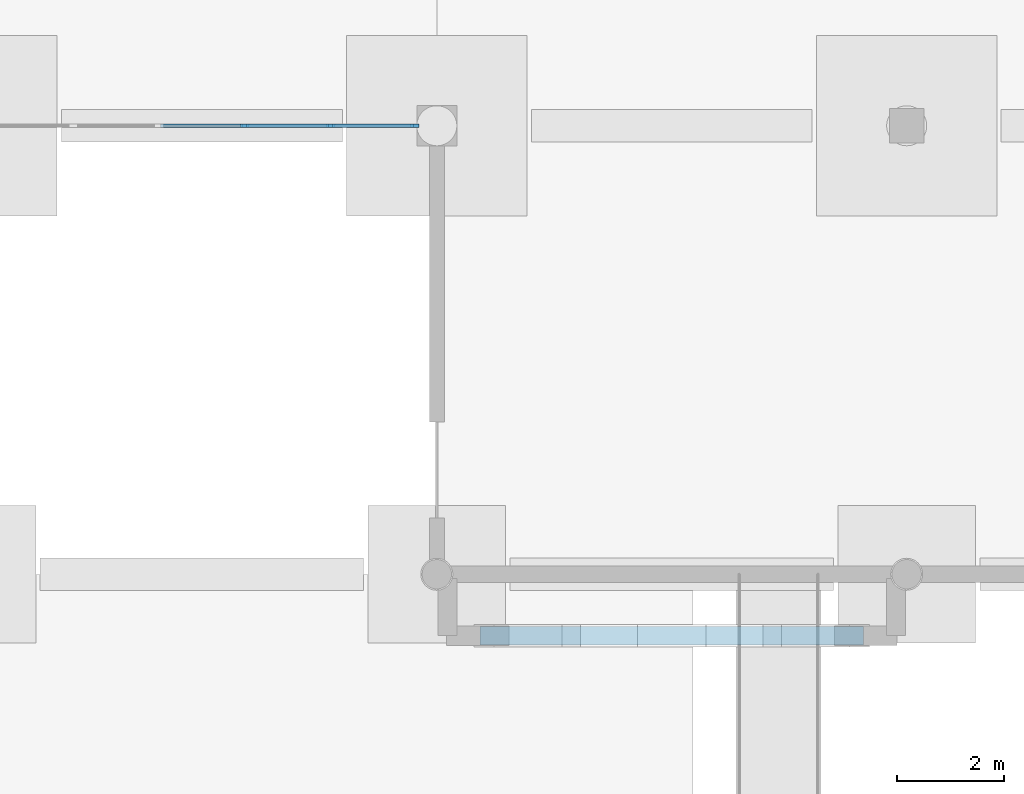
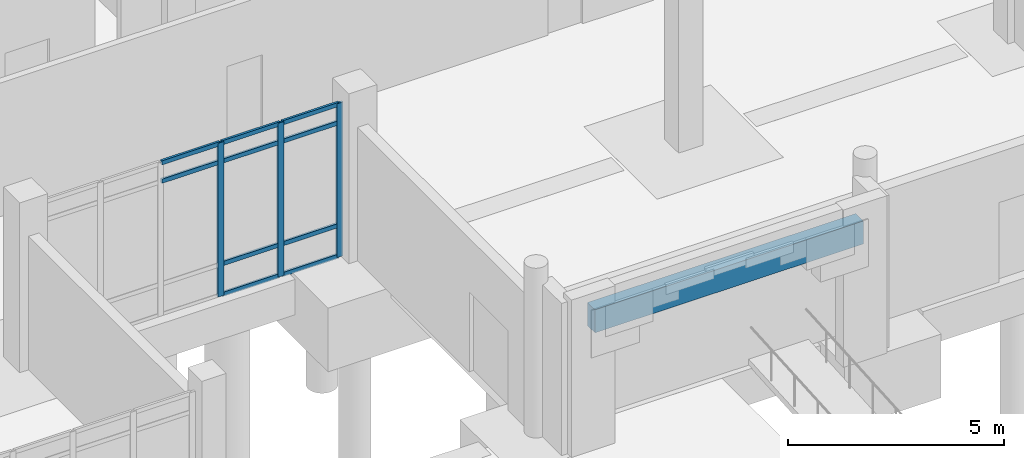
# One storey, part 22 of 72: 13 members, 1 beam, 1 element without a shape of its own.
"""IFC4 building model written with IfcOpenShell, lengths in metres."""

from ifc_helpers import new_model, si_unit, direction, frame, origin, origin_2d, place, context, subcontext, project, spatial, rectangle, extrude, material, material_profile, profile_set, type_object, element, aggregate, save


model = new_model("IFC4")

# Units and contexts
model_context = context("Model", 3, precision=1e-05, world=origin(), true_north=direction((0.0, 1.0)))
body_context = subcontext(model_context, "Body", "Model", "MODEL_VIEW")
ifc_project = project(units=[si_unit("LENGTHUNIT", "METRE"), si_unit("AREAUNIT", "SQUARE_METRE"), si_unit("VOLUMEUNIT", "CUBIC_METRE"), si_unit("PLANEANGLEUNIT", "RADIAN"), si_unit("MASSUNIT", "GRAM", prefix="KILO")], contexts=[model_context])

# Site, building, storey
site_placement = place(None, origin())
site = spatial("IfcSite", under=ifc_project, at=site_placement, CompositionType="ELEMENT")
building_placement = place(site_placement, origin())
building = spatial("IfcBuilding", under=site, at=building_placement, Name="Cinderway Yard Community Centre", CompositionType="ELEMENT")
storey_placement = place(building_placement, origin())
storey = spatial("IfcBuildingStorey", under=building, at=storey_placement, Name="L00", CompositionType="ELEMENT", Elevation=0.0)

# Curtain wall, members
ifc_material_1 = material(Name="Aluminium 6063-T6", Category="aluminium")
curtain_wall_type = type_object("IfcCurtainWallType", Name="ENV-CW-TYPE-25", PredefinedType="USERDEFINED", material=ifc_material_1)
curtain_wall_placement = place(storey_placement, origin())
curtain_wall = element("IfcCurtainWall", 1, at=curtain_wall_placement, inside=storey, type_object=curtain_wall_type, Name="V4 Courtyard Curtain Wall ENV-CW-L00-ST-0119", ObjectType="GLAZED CURTAIN WALL", PredefinedType="USERDEFINED")
ifc_material_profile_1 = material_profile(ifc_material_1, rectangle(XDim=0.06005859375, YDim=0.159912109375, at=origin_2d()), Name="Aluminium 6063-T6")
ifc_profile_set_1 = profile_set([ifc_material_profile_1], Name="Aluminium 6063-T6")
member_type_1 = type_object("IfcMemberType", Name="ENV-CW-MULL-150", PredefinedType="MULLION", material=ifc_profile_set_1)
member_1_placement = place(storey_placement, frame((115.60400390625, 98.39990234375, 0.0), z_axis=(0.0, 0.0, 1.0), x_axis=(0.0, 1.0, 0.0)))
member_1 = element("IfcMember", 2, at=member_1_placement, type_object=member_type_1, Name="CW-25 mullion 4", PredefinedType="MULLION", context=body_context, shape_type="SweptSolid", body=[
    extrude(rectangle(XDim=0.06005859375, YDim=0.159912109375, at=origin_2d()), origin(), (0.0, 0.0, 1.0), 4.35009765625),
])
member_2_placement = place(storey_placement, frame((117.2119140625, 98.39990234375, 0.0), z_axis=(0.0, 0.0, 1.0), x_axis=(0.0, 1.0, 0.0)))
member_2 = element("IfcMember", 3, at=member_2_placement, type_object=member_type_1, Name="CW-25 mullion 5", PredefinedType="MULLION", context=body_context, shape_type="SweptSolid", body=[
    extrude(rectangle(XDim=0.06005859375, YDim=0.159912109375, at=origin_2d()), origin(), (0.0, 0.0, 1.0), 4.35009765625),
])
member_3_placement = place(storey_placement, frame((118.7900390625, 98.39990234375, 0.0), z_axis=(0.0, 0.0, 1.0), x_axis=(0.0, 1.0, 0.0)))
member_3 = element("IfcMember", 4, at=member_3_placement, type_object=member_type_1, Name="CW-25 mullion 6", PredefinedType="MULLION", context=body_context, shape_type="SweptSolid", body=[
    extrude(rectangle(XDim=0.06005859375, YDim=0.159912109375, at=origin_2d()), origin(), (0.0, 0.0, 1.0), 4.35009765625),
])
ifc_material_profile_2 = material_profile(ifc_material_1, rectangle(XDim=0.06005859375, YDim=0.1201171875, at=origin_2d()), Name="Aluminium 6063-T6")
ifc_profile_set_2 = profile_set([ifc_material_profile_2], Name="Aluminium 6063-T6")
member_type_2 = type_object("IfcMemberType", Name="ENV-CW-TRAN-110", PredefinedType="USERDEFINED", material=ifc_profile_set_2)
member_4_placement = place(storey_placement, frame((114.02587890625, 98.39990234375, 3.800048828125), z_axis=(1.0, 0.0, 0.0), x_axis=(0.0, 1.0, 0.0)))
member_4 = element("IfcMember", 5, at=member_4_placement, type_object=member_type_2, Name="CW-25 transom 3.3", ObjectType="TRANSOM", PredefinedType="USERDEFINED", context=body_context, shape_type="SweptSolid", body=[
    extrude(rectangle(XDim=0.06005859375, YDim=0.1201171875, at=origin_2d()), origin(), (0.0, 0.0, 1.0), 1.548095703125),
])
member_5_placement = place(storey_placement, frame((114.02587890625, 98.39990234375, 4.320068359375), z_axis=(1.0, 0.0, 0.0), x_axis=(0.0, 1.0, 0.0)))
member_5 = element("IfcMember", 6, at=member_5_placement, type_object=member_type_2, Name="CW-25 transom 3.4", ObjectType="TRANSOM", PredefinedType="USERDEFINED", context=body_context, shape_type="SweptSolid", body=[
    extrude(rectangle(XDim=0.06005859375, YDim=0.1201171875, at=origin_2d()), origin(), (0.0, 0.0, 1.0), 1.548095703125),
])
member_6_placement = place(storey_placement, frame((115.634033203125, 98.39990234375, 0.030029296875), z_axis=(1.0, 0.0, 0.0), x_axis=(0.0, 1.0, 0.0)))
member_6 = element("IfcMember", 7, at=member_6_placement, type_object=member_type_2, Name="CW-25 transom 4.1", ObjectType="TRANSOM", PredefinedType="USERDEFINED", context=body_context, shape_type="SweptSolid", body=[
    extrude(rectangle(XDim=0.06005859375, YDim=0.1201171875, at=origin_2d()), origin(), (0.0, 0.0, 1.0), 1.5478515625),
])
member_7_placement = place(storey_placement, frame((115.634033203125, 98.39990234375, 0.89990234375), z_axis=(1.0, 0.0, 0.0), x_axis=(0.0, 1.0, 0.0)))
member_7 = element("IfcMember", 8, at=member_7_placement, type_object=member_type_2, Name="CW-25 transom 4.2", ObjectType="TRANSOM", PredefinedType="USERDEFINED", context=body_context, shape_type="SweptSolid", body=[
    extrude(rectangle(XDim=0.06005859375, YDim=0.1201171875, at=origin_2d()), origin(), (0.0, 0.0, 1.0), 1.5478515625),
])
member_8_placement = place(storey_placement, frame((115.634033203125, 98.39990234375, 3.800048828125), z_axis=(1.0, 0.0, 0.0), x_axis=(0.0, 1.0, 0.0)))
member_8 = element("IfcMember", 9, at=member_8_placement, type_object=member_type_2, Name="CW-25 transom 4.3", ObjectType="TRANSOM", PredefinedType="USERDEFINED", context=body_context, shape_type="SweptSolid", body=[
    extrude(rectangle(XDim=0.06005859375, YDim=0.1201171875, at=origin_2d()), origin(), (0.0, 0.0, 1.0), 1.5478515625),
])
member_9_placement = place(storey_placement, frame((115.634033203125, 98.39990234375, 4.320068359375), z_axis=(1.0, 0.0, 0.0), x_axis=(0.0, 1.0, 0.0)))
member_9 = element("IfcMember", 10, at=member_9_placement, type_object=member_type_2, Name="CW-25 transom 4.4", ObjectType="TRANSOM", PredefinedType="USERDEFINED", context=body_context, shape_type="SweptSolid", body=[
    extrude(rectangle(XDim=0.06005859375, YDim=0.1201171875, at=origin_2d()), origin(), (0.0, 0.0, 1.0), 1.5478515625),
])
member_10_placement = place(storey_placement, frame((117.241943359375, 98.39990234375, 0.030029296875), z_axis=(1.0, 0.0, 0.0), x_axis=(0.0, 1.0, 0.0)))
member_10 = element("IfcMember", 11, at=member_10_placement, type_object=member_type_2, Name="CW-25 transom 5.1", ObjectType="TRANSOM", PredefinedType="USERDEFINED", context=body_context, shape_type="SweptSolid", body=[
    extrude(rectangle(XDim=0.06005859375, YDim=0.1201171875, at=origin_2d()), origin(), (0.0, 0.0, 1.0), 1.51806640625),
])
member_11_placement = place(storey_placement, frame((117.241943359375, 98.39990234375, 0.89990234375), z_axis=(1.0, 0.0, 0.0), x_axis=(0.0, 1.0, 0.0)))
member_11 = element("IfcMember", 12, at=member_11_placement, type_object=member_type_2, Name="CW-25 transom 5.2", ObjectType="TRANSOM", PredefinedType="USERDEFINED", context=body_context, shape_type="SweptSolid", body=[
    extrude(rectangle(XDim=0.06005859375, YDim=0.1201171875, at=origin_2d()), origin(), (0.0, 0.0, 1.0), 1.51806640625),
])
member_12_placement = place(storey_placement, frame((117.241943359375, 98.39990234375, 3.800048828125), z_axis=(1.0, 0.0, 0.0), x_axis=(0.0, 1.0, 0.0)))
member_12 = element("IfcMember", 13, at=member_12_placement, type_object=member_type_2, Name="CW-25 transom 5.3", ObjectType="TRANSOM", PredefinedType="USERDEFINED", context=body_context, shape_type="SweptSolid", body=[
    extrude(rectangle(XDim=0.06005859375, YDim=0.1201171875, at=origin_2d()), origin(), (0.0, 0.0, 1.0), 1.51806640625),
])
member_13_placement = place(storey_placement, frame((117.241943359375, 98.39990234375, 4.320068359375), z_axis=(1.0, 0.0, 0.0), x_axis=(0.0, 1.0, 0.0)))
member_13 = element("IfcMember", 14, at=member_13_placement, type_object=member_type_2, Name="CW-25 transom 5.4", ObjectType="TRANSOM", PredefinedType="USERDEFINED", context=body_context, shape_type="SweptSolid", body=[
    extrude(rectangle(XDim=0.06005859375, YDim=0.1201171875, at=origin_2d()), origin(), (0.0, 0.0, 1.0), 1.51806640625),
])
aggregate(curtain_wall, [member_1, member_2, member_3, member_4, member_5, member_6, member_7, member_8, member_9, member_10, member_11, member_12, member_13])

# Beam
ifc_material_2 = material(Name="Concrete C35/45", Category="concrete")
ifc_material_profile_3 = material_profile(ifc_material_2, rectangle(XDim=0.35009765625, YDim=0.64990234375, at=origin_2d()), Name="Concrete C35/45")
ifc_profile_set_3 = profile_set([ifc_material_profile_3], Name="Concrete C35/45")
beam_type = type_object("IfcBeamType", Name="STR-BM-RC350X650", PredefinedType="BEAM", material=ifc_profile_set_3)
beam_placement = place(storey_placement, frame((120.010009765625, 88.85009765625, 3.625), z_axis=(1.0, 0.0, 0.0), x_axis=(0.0, 1.0, 0.0)))
element("IfcBeam", 15, at=beam_placement, inside=storey, type_object=beam_type, Name="Nursery Courtyard Arched Niche Lintel 09", PredefinedType="BEAM", context=body_context, shape_type="SweptSolid", body=[
    extrude(rectangle(XDim=0.35009765625, YDim=0.64990234375, at=origin_2d()), origin(), (0.0, 0.0, 1.0), 7.179931640625),
])

save(model, "model.ifc")
